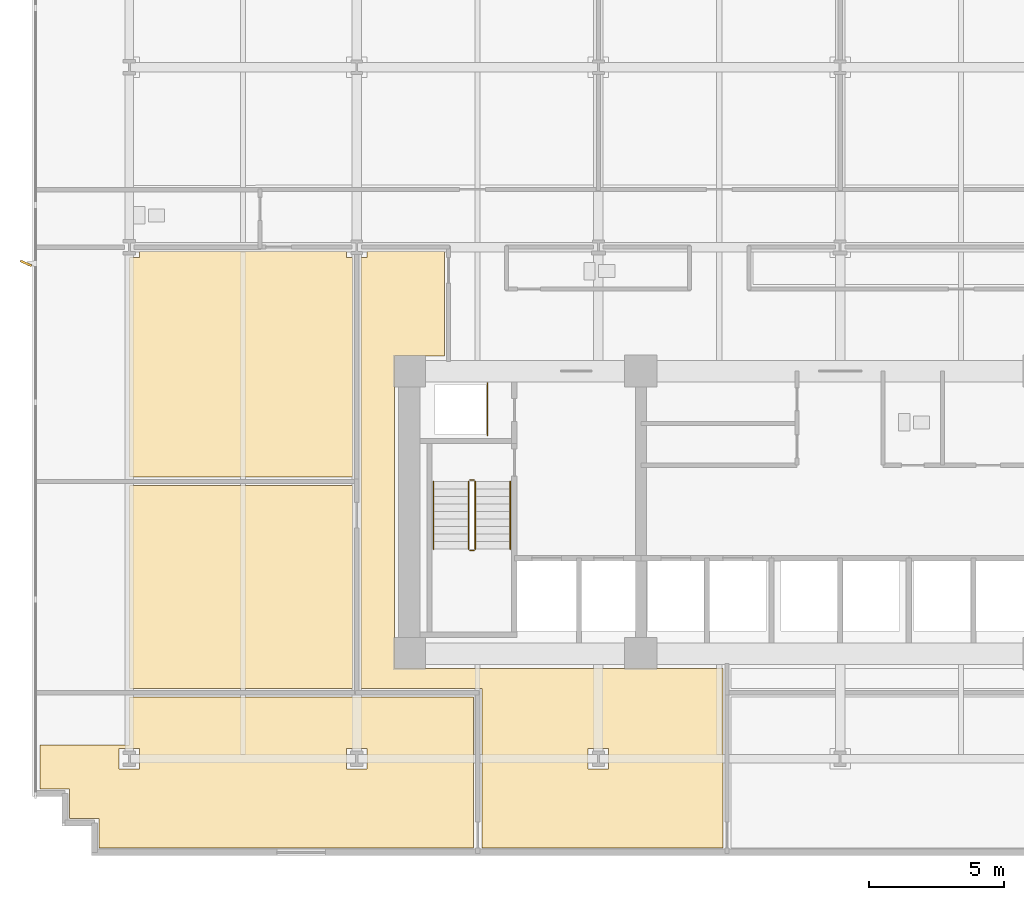
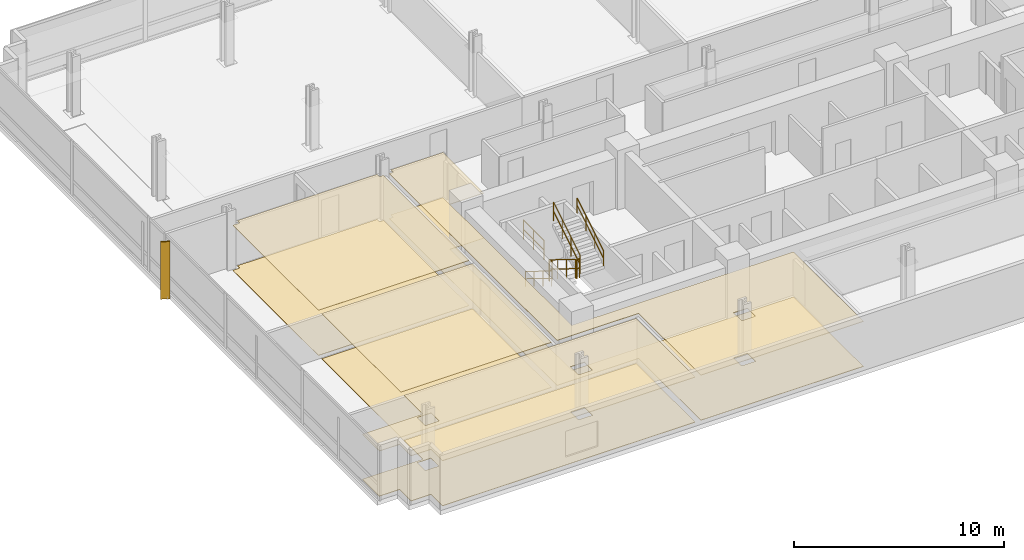
# One storey, part 11 of 14: 8 coverings, 7 railings, 1 shading device.
"""IFC4 building model written with IfcOpenShell, lengths in metres."""

from ifc_helpers import new_model, si_unit, direction, frame, origin, origin_2d, place, context, subcontext, project, spatial, polyline, rectangle, circle, outline, extrude, material, layer, layer_set, type_object, element, save


model = new_model("IFC4")

# Units and contexts
model_context = context("Model", 3, precision=1e-05, world=origin(), true_north=direction((0.0, 1.0)))
body_context = subcontext(model_context, "Body", "Model", "MODEL_VIEW")
ifc_project = project(units=[si_unit("LENGTHUNIT", "METRE"), si_unit("AREAUNIT", "SQUARE_METRE"), si_unit("VOLUMEUNIT", "CUBIC_METRE"), si_unit("PLANEANGLEUNIT", "RADIAN"), si_unit("MASSUNIT", "GRAM", prefix="KILO")], contexts=[model_context])

# Site, building, storey
site_placement = place(None, origin())
site = spatial("IfcSite", under=ifc_project, at=site_placement, CompositionType="ELEMENT")
building_placement = place(site_placement, origin())
building = spatial("IfcBuilding", under=site, at=building_placement, Name="Solmavex Isthmus Hotel", CompositionType="ELEMENT")
storey_placement = place(building_placement, frame((0.0, 0.0, 50.550048828125)))
storey = spatial("IfcBuildingStorey", under=building, at=storey_placement, Name="L13", CompositionType="ELEMENT", Elevation=50.550048828125)

# Coverings
ifc_material_1 = material(Name="Gypsum plasterboard lining", Category="gypsum")
ifc_layer_1 = layer(ifc_material_1, 0.030029296875)
ifc_layer_set_1 = layer_set([ifc_layer_1], Name="Gypsum plasterboard lining")
covering_type_1 = type_object("IfcCoveringType", Name="COV-CEIL-GYP", PredefinedType="CEILING", material=ifc_layer_set_1)
covering_1_placement = place(storey_placement, frame((0.0, 0.0, 2.619873046875)))
element("IfcCovering", 1, at=covering_1_placement, inside=storey, type_object=covering_type_1, Name="Suspended Acoustic Ceiling L13-FL09", PredefinedType="CEILING", context=body_context, shape_type="SweptSolid", body=[
    extrude(outline(polyline([(-17.572021484375, 1.945068359375), (-17.572021484375, 1.719970703125), (-17.797119140625, 1.719970703125), (-17.797119140625, -14.294921875), (-13.304931640625, -14.294921875), (-13.304931640625, -20.22509765625), (-4.35498046875, -20.22509765625), (-4.35498046875, -13.554931640625), (-16.554931640625, -13.554931640625), (-16.554931640625, -1.945068359375), (-14.698974609375, -1.945068359375), (-14.698974609375, 1.945068359375), (-17.572021484375, 1.945068359375)]), holes=[polyline([(-9.35595703125, -17.280029296875), (-9.35595703125, -16.52001953125), (-8.595947265625, -16.52001953125), (-8.595947265625, -17.280029296875), (-9.35595703125, -17.280029296875)])]), origin(), (0.0, 0.0, 1.0), 0.030029296875),
])
covering_2_placement = place(storey_placement, frame((0.0, 0.0, 2.619873046875)))
element("IfcCovering", 2, at=covering_2_placement, inside=storey, type_object=covering_type_1, Name="Suspended Acoustic Ceiling L13-FL12", PredefinedType="CEILING", context=body_context, shape_type="SweptSolid", body=[
    extrude(outline(polyline([(-26.39990234375, -6.7548828125), (-26.39990234375, -14.294921875), (-18.10693359375, -14.294921875), (-18.10693359375, -6.7548828125), (-26.39990234375, -6.7548828125)])), origin(), (0.0, 0.0, 1.0), 0.030029296875),
])
covering_3_placement = place(storey_placement, frame((0.0, 0.0, 2.619873046875)))
element("IfcCovering", 3, at=covering_3_placement, inside=storey, type_object=covering_type_1, Name="Suspended Acoustic Ceiling L13-FL13", PredefinedType="CEILING", context=body_context, shape_type="SweptSolid", body=[
    extrude(outline(polyline([(-29.72509765625, -18.02490234375), (-28.625, -18.02490234375), (-28.625, -19.125), (-27.52490234375, -19.125), (-27.52490234375, -20.22509765625), (-13.614990234375, -20.22509765625), (-13.614990234375, -14.60498046875), (-26.39990234375, -14.60498046875), (-26.39990234375, -16.39990234375), (-29.72509765625, -16.39990234375), (-29.72509765625, -18.02490234375)]), holes=[polyline([(-18.33203125, -17.280029296875), (-18.33203125, -16.52001953125), (-17.572021484375, -16.52001953125), (-17.572021484375, -17.280029296875), (-18.33203125, -17.280029296875)]), polyline([(-26.780029296875, -17.280029296875), (-26.780029296875, -16.52001953125), (-26.02001953125, -16.52001953125), (-26.02001953125, -17.280029296875), (-26.780029296875, -17.280029296875)])]), origin(), (0.0, 0.0, 1.0), 0.030029296875),
])
covering_4_placement = place(storey_placement, frame((0.0, 0.0, 2.619873046875)))
element("IfcCovering", 4, at=covering_4_placement, inside=storey, type_object=covering_type_1, Name="Suspended Acoustic Ceiling L13-FL14", PredefinedType="CEILING", context=body_context, shape_type="SweptSolid", body=[
    extrude(outline(polyline([(-26.02001953125, 1.945068359375), (-26.02001953125, 1.719970703125), (-26.39990234375, 1.719970703125), (-26.39990234375, -6.445068359375), (-18.10693359375, -6.445068359375), (-18.10693359375, 1.719970703125), (-18.33203125, 1.719970703125), (-18.33203125, 1.945068359375), (-26.02001953125, 1.945068359375)])), origin(), (0.0, 0.0, 1.0), 0.030029296875),
])
ifc_material_2 = material(Name="Travertine natural stone", Category="masonry")
ifc_layer_2 = layer(ifc_material_2, 0.02490234375)
ifc_layer_set_2 = layer_set([ifc_layer_2], Name="Travertine natural stone")
covering_type_2 = type_object("IfcCoveringType", Name="COV-FLOR-STN", PredefinedType="FLOORING", material=ifc_layer_set_2)
covering_5_placement = place(storey_placement, origin())
element("IfcCovering", 5, at=covering_5_placement, inside=storey, type_object=covering_type_2, Name="Stone and Timber Floor Finish L13-FL09", PredefinedType="FLOORING", context=body_context, shape_type="SweptSolid", body=[
    extrude(outline(polyline([(-17.572021484375, 1.945068359375), (-17.572021484375, 1.719970703125), (-17.797119140625, 1.719970703125), (-17.797119140625, -14.294921875), (-13.304931640625, -14.294921875), (-13.304931640625, -20.22509765625), (-4.35498046875, -20.22509765625), (-4.35498046875, -13.554931640625), (-16.554931640625, -13.554931640625), (-16.554931640625, -1.945068359375), (-14.698974609375, -1.945068359375), (-14.698974609375, 1.945068359375), (-17.572021484375, 1.945068359375)]), holes=[polyline([(-9.35595703125, -17.280029296875), (-9.35595703125, -16.52001953125), (-8.595947265625, -16.52001953125), (-8.595947265625, -17.280029296875), (-9.35595703125, -17.280029296875)])]), origin(), (0.0, 0.0, 1.0), 0.02490234375),
])
covering_6_placement = place(storey_placement, origin())
element("IfcCovering", 6, at=covering_6_placement, inside=storey, type_object=covering_type_2, Name="Stone and Timber Floor Finish L13-FL12", PredefinedType="FLOORING", context=body_context, shape_type="SweptSolid", body=[
    extrude(outline(polyline([(-26.39990234375, -6.7548828125), (-26.39990234375, -14.294921875), (-18.10693359375, -14.294921875), (-18.10693359375, -6.7548828125), (-26.39990234375, -6.7548828125)])), origin(), (0.0, 0.0, 1.0), 0.02490234375),
])
covering_7_placement = place(storey_placement, origin())
element("IfcCovering", 7, at=covering_7_placement, inside=storey, type_object=covering_type_2, Name="Stone and Timber Floor Finish L13-FL13", PredefinedType="FLOORING", context=body_context, shape_type="SweptSolid", body=[
    extrude(outline(polyline([(-29.72509765625, -18.02490234375), (-28.625, -18.02490234375), (-28.625, -19.125), (-27.52490234375, -19.125), (-27.52490234375, -20.22509765625), (-13.614990234375, -20.22509765625), (-13.614990234375, -14.60498046875), (-26.39990234375, -14.60498046875), (-26.39990234375, -16.39990234375), (-29.72509765625, -16.39990234375), (-29.72509765625, -18.02490234375)]), holes=[polyline([(-18.33203125, -17.280029296875), (-18.33203125, -16.52001953125), (-17.572021484375, -16.52001953125), (-17.572021484375, -17.280029296875), (-18.33203125, -17.280029296875)]), polyline([(-26.780029296875, -17.280029296875), (-26.780029296875, -16.52001953125), (-26.02001953125, -16.52001953125), (-26.02001953125, -17.280029296875), (-26.780029296875, -17.280029296875)])]), origin(), (0.0, 0.0, 1.0), 0.02490234375),
])
covering_8_placement = place(storey_placement, origin())
element("IfcCovering", 8, at=covering_8_placement, inside=storey, type_object=covering_type_2, Name="Stone and Timber Floor Finish L13-FL14", PredefinedType="FLOORING", context=body_context, shape_type="SweptSolid", body=[
    extrude(outline(polyline([(-26.02001953125, 1.945068359375), (-26.02001953125, 1.719970703125), (-26.39990234375, 1.719970703125), (-26.39990234375, -6.445068359375), (-18.10693359375, -6.445068359375), (-18.10693359375, 1.719970703125), (-18.33203125, 1.719970703125), (-18.33203125, 1.945068359375), (-26.02001953125, 1.945068359375)])), origin(), (0.0, 0.0, 1.0), 0.02490234375),
])

# Railings
ifc_material_3 = material(Name="Clear low-E laminated glass", Category="glass")
ifc_layer_3 = layer(ifc_material_3, 0.080078125)
ifc_layer_set_3 = layer_set([ifc_layer_3], Name="Clear low-E laminated glass")
railing_type_1 = type_object("IfcRailingType", Name="RAIL-ATRIUM-1120", PredefinedType="BALUSTRADE", material=ifc_layer_set_3)
railing_1_placement = place(storey_placement, frame((-13.10009765625, -4.89990234375, 0.0)))
element("IfcRailing", 9, at=railing_1_placement, inside=storey, type_object=railing_type_1, Name="Guardrail Balustrade L13-RSW-01", PredefinedType="BALUSTRADE", context=body_context, shape_type="SweptSolid", body=[
    extrude(circle(Radius=0.02392578125, at=origin_2d()), frame((0.0, 0.0, 1.1259765625), z_axis=(0.0, 1.0, 0.0), x_axis=(-1.0, 0.0, 0.0)), (0.0, 0.0, 1.0), 1.949951171875),
    extrude(circle(Radius=0.02392578125, at=origin_2d()), frame((0.0, 0.0, 0.574951171875), z_axis=(0.0, 1.0, 0.0), x_axis=(-1.0, 0.0, 0.0)), (0.0, 0.0, 1.0), 1.949951171875),
    extrude(circle(Radius=0.02099609375, at=origin_2d()), origin(), (0.0, 0.0, 1.0), 1.101806640625),
    extrude(circle(Radius=0.02099609375, at=origin_2d()), frame((0.0, 0.97509765625, 0.0)), (0.0, 0.0, 1.0), 1.101806640625),
    extrude(circle(Radius=0.02099609375, at=origin_2d()), frame((0.0, 1.949951171875, 0.0)), (0.0, 0.0, 1.0), 1.101806640625),
])
ifc_material_4 = material(Name="Stainless steel 316", Category="steel")
ifc_layer_4 = layer(ifc_material_4, 0.06005859375)
ifc_layer_set_4 = layer_set([ifc_layer_4], Name="Stainless steel 316")
railing_type_2 = type_object("IfcRailingType", Name="RAIL-STAIR-GD", PredefinedType="GUARDRAIL", material=ifc_layer_set_4)
railing_2_placement = place(storey_placement, frame((-13.800048828125, -6.60009765625, 0.17236328125)))
element("IfcRailing", 10, at=railing_2_placement, inside=storey, type_object=railing_type_2, Name="L13 ST-1 stair guard 1", PredefinedType="GUARDRAIL", context=body_context, shape_type="SweptSolid", body=[
    extrude(circle(Radius=0.02392578125, at=origin_2d()), frame((0.0, 0.0, 1.09619140625), z_axis=(0.0, -0.851400495292, 0.524516154772), x_axis=(1.0, 0.0, 0.0)), (0.0, 0.0, 1.0), 2.9599609375),
    extrude(circle(Radius=0.02392578125, at=origin_2d()), frame((0.0, 0.0, 0.56005859375), z_axis=(0.0, -0.851400495292, 0.524516154772), x_axis=(1.0, 0.0, 0.0)), (0.0, 0.0, 1.0), 2.9599609375),
    extrude(circle(Radius=0.02099609375, at=origin_2d()), origin(), (0.0, 0.0, 1.0), 1.072021484375),
    extrude(circle(Radius=0.02099609375, at=origin_2d()), frame((0.0, -0.840087890625, 0.517578125)), (0.0, 0.0, 1.0), 1.072021484375),
    extrude(circle(Radius=0.02099609375, at=origin_2d()), frame((0.0, -1.679931640625, 1.034912109375)), (0.0, 0.0, 1.0), 1.072021484375),
    extrude(circle(Radius=0.02099609375, at=origin_2d()), frame((0.0, -2.52001953125, 1.552490234375)), (0.0, 0.0, 1.0), 1.072021484375),
])
railing_3_placement = place(storey_placement, frame((-13.75, -9.169921875, 1.724853515625)))
element("IfcRailing", 11, at=railing_3_placement, inside=storey, type_object=railing_type_2, Name="L13 ST-1 stair guard 2", PredefinedType="GUARDRAIL", context=body_context, shape_type="SweptSolid", body=[
    extrude(circle(Radius=0.02392578125, at=origin_2d()), frame((0.0, 0.0, 1.09619140625), z_axis=(1.0, 0.0, 0.0), x_axis=(0.0, 1.0, 0.0)), (0.0, 0.0, 1.0), 0.14990234375),
    extrude(circle(Radius=0.02392578125, at=origin_2d()), frame((0.0, 0.0, 0.56005859375), z_axis=(1.0, 0.0, 0.0), x_axis=(0.0, 1.0, 0.0)), (0.0, 0.0, 1.0), 0.14990234375),
    extrude(circle(Radius=0.02099609375, at=origin_2d()), origin(), (0.0, 0.0, 1.0), 1.072021484375),
    extrude(circle(Radius=0.02099609375, at=origin_2d()), frame((0.14990234375, 0.0, 0.0)), (0.0, 0.0, 1.0), 1.072021484375),
])
railing_4_placement = place(storey_placement, frame((-13.550048828125, -9.1201171875, 1.8974609375)))
element("IfcRailing", 12, at=railing_4_placement, inside=storey, type_object=railing_type_2, Name="L13 ST-1 stair guard 3", PredefinedType="GUARDRAIL", context=body_context, shape_type="SweptSolid", body=[
    extrude(circle(Radius=0.02392578125, at=origin_2d()), frame((0.0, 0.0, 1.09619140625), z_axis=(0.0, 0.851400495292, 0.524516154772), x_axis=(-1.0, 0.0, 0.0)), (0.0, 0.0, 1.0), 2.9599609375),
    extrude(circle(Radius=0.02392578125, at=origin_2d()), frame((0.0, 0.0, 0.56005859375), z_axis=(0.0, 0.851400495292, 0.524516154772), x_axis=(-1.0, 0.0, 0.0)), (0.0, 0.0, 1.0), 2.9599609375),
    extrude(circle(Radius=0.02099609375, at=origin_2d()), origin(), (0.0, 0.0, 1.0), 1.072021484375),
    extrude(circle(Radius=0.02099609375, at=origin_2d()), frame((0.0, 0.840087890625, 0.517578125)), (0.0, 0.0, 1.0), 1.072021484375),
    extrude(circle(Radius=0.02099609375, at=origin_2d()), frame((0.0, 1.679931640625, 1.034912109375)), (0.0, 0.0, 1.0), 1.072021484375),
    extrude(circle(Radius=0.02099609375, at=origin_2d()), frame((0.0, 2.52001953125, 1.552490234375)), (0.0, 0.0, 1.0), 1.072021484375),
])
railing_5_placement = place(storey_placement, frame((-13.75, -6.550048828125, 0.0)))
element("IfcRailing", 13, at=railing_5_placement, inside=storey, type_object=railing_type_2, Name="L13 ST-1 stair guard 4", PredefinedType="GUARDRAIL", context=body_context, shape_type="SweptSolid", body=[
    extrude(circle(Radius=0.02392578125, at=origin_2d()), frame((0.0, 0.0, 1.09619140625), z_axis=(1.0, 0.0, 0.0), x_axis=(0.0, 1.0, 0.0)), (0.0, 0.0, 1.0), 0.14990234375),
    extrude(circle(Radius=0.02392578125, at=origin_2d()), frame((0.0, 0.0, 0.56005859375), z_axis=(1.0, 0.0, 0.0), x_axis=(0.0, 1.0, 0.0)), (0.0, 0.0, 1.0), 0.14990234375),
    extrude(circle(Radius=0.02099609375, at=origin_2d()), origin(), (0.0, 0.0, 1.0), 1.072021484375),
    extrude(circle(Radius=0.02099609375, at=origin_2d()), frame((0.14990234375, 0.0, 0.0)), (0.0, 0.0, 1.0), 1.072021484375),
])
ifc_layer_5 = layer(ifc_material_4, 0.050048828125)
ifc_layer_set_5 = layer_set([ifc_layer_5], Name="Stainless steel 316")
railing_type_3 = type_object("IfcRailingType", Name="RAIL-STAIR-HR", PredefinedType="HANDRAIL", material=ifc_layer_set_5)
railing_6_placement = place(storey_placement, frame((-15.10009765625, -6.60009765625, 0.17236328125)))
element("IfcRailing", 14, at=railing_6_placement, inside=storey, type_object=railing_type_3, Name="L13 ST-1 stair handrail 1", PredefinedType="HANDRAIL", context=body_context, shape_type="SweptSolid", body=[
    extrude(circle(Radius=0.02392578125, at=origin_2d()), frame((0.0, 0.0, 0.8759765625), z_axis=(0.0, -0.851400495292, 0.524516154772), x_axis=(1.0, 0.0, 0.0)), (0.0, 0.0, 1.0), 2.9599609375),
    extrude(circle(Radius=0.02392578125, at=origin_2d()), frame((0.0, 0.0, 0.449951171875), z_axis=(0.0, -0.851400495292, 0.524516154772), x_axis=(1.0, 0.0, 0.0)), (0.0, 0.0, 1.0), 2.9599609375),
    extrude(circle(Radius=0.02099609375, at=origin_2d()), origin(), (0.0, 0.0, 1.0), 0.851806640625),
    extrude(circle(Radius=0.02099609375, at=origin_2d()), frame((0.0, -0.840087890625, 0.517578125)), (0.0, 0.0, 1.0), 0.851806640625),
    extrude(circle(Radius=0.02099609375, at=origin_2d()), frame((0.0, -1.679931640625, 1.034912109375)), (0.0, 0.0, 1.0), 0.851806640625),
    extrude(circle(Radius=0.02099609375, at=origin_2d()), frame((0.0, -2.52001953125, 1.552490234375)), (0.0, 0.0, 1.0), 0.851806640625),
])
railing_7_placement = place(storey_placement, frame((-12.25, -9.1201171875, 1.8974609375)))
element("IfcRailing", 15, at=railing_7_placement, inside=storey, type_object=railing_type_3, Name="L13 ST-1 stair handrail 2", PredefinedType="HANDRAIL", context=body_context, shape_type="SweptSolid", body=[
    extrude(circle(Radius=0.02392578125, at=origin_2d()), frame((0.0, 0.0, 0.8759765625), z_axis=(0.0, 0.851400495292, 0.524516154772), x_axis=(-1.0, 0.0, 0.0)), (0.0, 0.0, 1.0), 2.9599609375),
    extrude(circle(Radius=0.02392578125, at=origin_2d()), frame((0.0, 0.0, 0.449951171875), z_axis=(0.0, 0.851400495292, 0.524516154772), x_axis=(-1.0, 0.0, 0.0)), (0.0, 0.0, 1.0), 2.9599609375),
    extrude(circle(Radius=0.02099609375, at=origin_2d()), origin(), (0.0, 0.0, 1.0), 0.851806640625),
    extrude(circle(Radius=0.02099609375, at=origin_2d()), frame((0.0, 0.840087890625, 0.517578125)), (0.0, 0.0, 1.0), 0.851806640625),
    extrude(circle(Radius=0.02099609375, at=origin_2d()), frame((0.0, 1.679931640625, 1.034912109375)), (0.0, 0.0, 1.0), 0.851806640625),
    extrude(circle(Radius=0.02099609375, at=origin_2d()), frame((0.0, 2.52001953125, 1.552490234375)), (0.0, 0.0, 1.0), 0.851806640625),
])

# Shading device
ifc_material_5 = material(Name="Aluminium alloy 6063-T6", Category="aluminium")
shading_device_type = type_object("IfcShadingDeviceType", Name="SHD-FIN-BRONZE", PredefinedType="USERDEFINED", material=ifc_material_5)
shading_device_placement = place(storey_placement, frame((-30.239990234375, 1.5, -0.14013671875), z_axis=(0.0, 0.0, 1.0), x_axis=(-0.913545457643, 0.406736643076, 0.0)))
element("IfcShadingDevice", 16, at=shading_device_placement, inside=storey, type_object=shading_device_type, Name="Anodised Aluminium Solar Fin L13-W1", ObjectType="SOLAR_FIN", PredefinedType="USERDEFINED", context=body_context, shape_type="SweptSolid", body=[
    extrude(rectangle(XDim=0.449951171875, YDim=0.080078125, at=origin_2d()), origin(), (0.0, 0.0, 1.0), 3.330078125),
])

save(model, "model.ifc")
